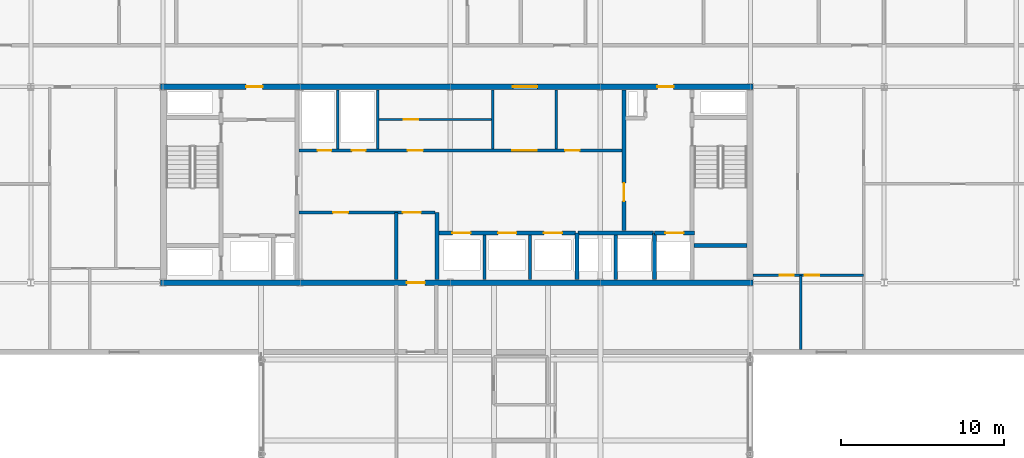
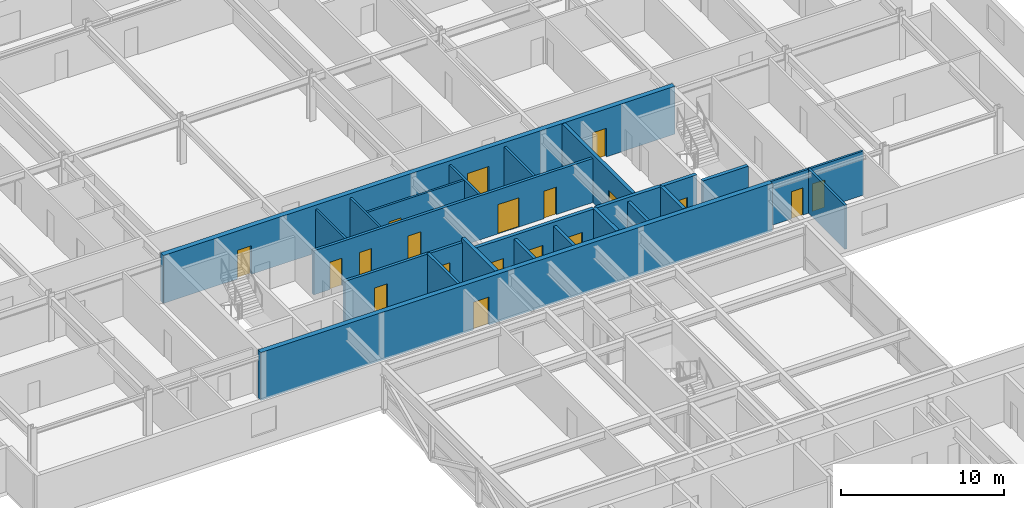
# One storey, part 25 of 36: 23 walls, 19 doors, 19 openings.
"""IFC4 building model written with IfcOpenShell, lengths in metres."""

from ifc_helpers import new_model, si_unit, direction, frame, frame_2d, origin, place, context, subcontext, project, spatial, rectangle, extrude, material, layer, layer_set, type_object, element, fill, save


model = new_model("IFC4")

# Units and contexts
model_context = context("Model", 3, precision=1e-05, world=origin(), true_north=direction((0.0, 1.0)))
body_context = subcontext(model_context, "Body", "Model", "MODEL_VIEW")
ifc_project = project(units=[si_unit("LENGTHUNIT", "METRE"), si_unit("AREAUNIT", "SQUARE_METRE"), si_unit("VOLUMEUNIT", "CUBIC_METRE"), si_unit("PLANEANGLEUNIT", "RADIAN"), si_unit("MASSUNIT", "GRAM", prefix="KILO")], contexts=[model_context])

# Site, building, storey
site_placement = place(None, origin())
site = spatial("IfcSite", under=ifc_project, at=site_placement, CompositionType="ELEMENT")
building_placement = place(site_placement, origin())
building = spatial("IfcBuilding", under=site, at=building_placement, Name="Korimba Cascade Residences", CompositionType="ELEMENT")
storey_placement = place(building_placement, frame((0.0, 0.0, 142.89990234375)))
storey = spatial("IfcBuildingStorey", under=building, at=storey_placement, Name="L41", CompositionType="ELEMENT", Elevation=142.89990234375)

# Wall, opening, door
ifc_material_1 = material(Name="Concrete C65/80", Category="concrete")
ifc_layer_1 = layer(ifc_material_1, 0.35009765625)
ifc_layer_set_1 = layer_set([ifc_layer_1], Name="Concrete C65/80")
wall_type_1 = type_object("IfcWallType", Name="WAL-CORE-350", PredefinedType="SHEAR", material=ifc_layer_set_1)
wall_1_placement = place(storey_placement, frame((75.949951171875, 55.199951171875, 0.0), z_axis=(0.0, 0.0, 1.0), x_axis=(1.0, 0.0, 0.0)))
wall_1 = element("IfcWall", 1, at=wall_1_placement, inside=storey, type_object=wall_type_1, Name="L41 Core Shear Wall CW-L41-T1-S", PredefinedType="SHEAR", context=body_context, shape_type="SweptSolid", body=[
    extrude(rectangle(XDim=36.300048828125, YDim=0.35009765625, at=frame_2d((18.14990234375, 0.0))), origin(), (0.0, 0.0, 1.0), 3.60009765625),
])
opening_1_placement = place(wall_1_placement, frame((15.10009765625, 0.0, 0.0)))
opening_1 = element("IfcOpeningElement", 2, at=opening_1_placement, cuts=wall_1, Name="Opening D-FD1", PredefinedType="OPENING", context=body_context, shape_type="SweptSolid", body=[
    extrude(rectangle(XDim=1.10009765625, YDim=2.10009765625, at=frame_2d((0.550048828125, 1.050048828125))), frame((0.0, 0.18505859375, 0.0), z_axis=(0.0, -1.0, 0.0), x_axis=(1.0, 0.0, 0.0)), (0.0, 0.0, 1.0), 0.3701171875),
])
ifc_material_2 = material(Name="Fire-Rated Steel Core Door", Category="steel")
door_type_1 = type_object("IfcDoorType", Name="DR-FD120-1100", OperationType="NOTDEFINED", PredefinedType="DOOR", material=ifc_material_2)
door_1_placement = place(opening_1_placement, origin())
door_1 = element("IfcDoor", 3, at=door_1_placement, inside=storey, type_object=door_type_1, Name="L41 Skybridge to T1 Core Fire Door", OperationType="SINGLE_SWING_LEFT", OverallHeight=2.10009765625, OverallWidth=1.10009765625, PredefinedType="DOOR", context=body_context, shape_type="SweptSolid", body=[
    extrude(rectangle(XDim=1.10009765625, YDim=2.10009765625, at=frame_2d((0.550048828125, 1.050048828125))), frame((0.0, 0.02490234375, 0.0), z_axis=(0.0, -1.0, 0.0), x_axis=(1.0, 0.0, 0.0)), (0.0, 0.0, 1.0), 0.050048828125),
])
fill(opening_1, door_1)

# Wall, openings, doors
wall_2_placement = place(storey_placement, frame((75.949951171875, 67.199951171875, 0.0), z_axis=(0.0, 0.0, 1.0), x_axis=(1.0, 0.0, 0.0)))
wall_2 = element("IfcWall", 4, at=wall_2_placement, inside=storey, type_object=wall_type_1, Name="L41 Core Shear Wall CW-L41-T1-N", PredefinedType="SHEAR", context=body_context, shape_type="SweptSolid", body=[
    extrude(rectangle(XDim=36.300048828125, YDim=0.35009765625, at=frame_2d((18.14990234375, 0.0))), origin(), (0.0, 0.0, 1.0), 3.60009765625),
])
opening_2_placement = place(wall_2_placement, frame((5.25, 0.0, 0.0)))
opening_2 = element("IfcOpeningElement", 5, at=opening_2_placement, cuts=wall_2, Name="Opening D-FD5", PredefinedType="OPENING", context=body_context, shape_type="SweptSolid", body=[
    extrude(rectangle(XDim=1.0, YDim=2.14990234375, at=frame_2d((0.5, 1.074951171875))), frame((0.0, 0.18505859375, 0.0), z_axis=(0.0, -1.0, 0.0), x_axis=(1.0, 0.0, 0.0)), (0.0, 0.0, 1.0), 0.3701171875),
])
opening_3_placement = place(wall_2_placement, frame((21.60009765625, 0.0, 0.0)))
opening_3 = element("IfcOpeningElement", 6, at=opening_3_placement, cuts=wall_2, Name="Opening D-FD8", PredefinedType="OPENING", context=body_context, shape_type="SweptSolid", body=[
    extrude(rectangle(XDim=1.5, YDim=2.199951171875, at=frame_2d((0.75, 1.10009765625))), frame((0.0, 0.18505859375, 0.0), z_axis=(0.0, -1.0, 0.0), x_axis=(1.0, 0.0, 0.0)), (0.0, 0.0, 1.0), 0.3701171875),
])
opening_4_placement = place(wall_2_placement, frame((30.449951171875, 0.0, 0.0)))
opening_4 = element("IfcOpeningElement", 7, at=opening_4_placement, cuts=wall_2, Name="Opening D-FD5", PredefinedType="OPENING", context=body_context, shape_type="SweptSolid", body=[
    extrude(rectangle(XDim=1.0, YDim=2.14990234375, at=frame_2d((0.5, 1.074951171875))), frame((0.0, 0.18505859375, 0.0), z_axis=(0.0, -1.0, 0.0), x_axis=(1.0, 0.0, 0.0)), (0.0, 0.0, 1.0), 0.3701171875),
])
ifc_material_3 = material(Name="Fire-Rated Acoustic Timber Vestibule Door", Category="wood")
door_type_2 = type_object("IfcDoorType", Name="DR-FD90-1000", OperationType="NOTDEFINED", PredefinedType="DOOR", material=ifc_material_3)
door_2_placement = place(opening_2_placement, origin())
door_2 = element("IfcDoor", 8, at=door_2_placement, inside=storey, type_object=door_type_2, Name="L41 T1 West Core Vestibule Fire Door", OperationType="SINGLE_SWING_RIGHT", OverallHeight=2.14990234375, OverallWidth=1.0, PredefinedType="DOOR", context=body_context, shape_type="SweptSolid", body=[
    extrude(rectangle(XDim=1.0, YDim=2.14990234375, at=frame_2d((0.5, 1.074951171875))), frame((0.0, 0.02490234375, 0.0), z_axis=(0.0, -1.0, 0.0), x_axis=(1.0, 0.0, 0.0)), (0.0, 0.0, 1.0), 0.050048828125),
])
fill(opening_2, door_2)
door_3_placement = place(opening_4_placement, origin())
door_3 = element("IfcDoor", 9, at=door_3_placement, inside=storey, type_object=door_type_2, Name="L41 T1 East Firefighting Vestibule Fire Door", OperationType="SINGLE_SWING_LEFT", OverallHeight=2.14990234375, OverallWidth=1.0, PredefinedType="DOOR", context=body_context, shape_type="SweptSolid", body=[
    extrude(rectangle(XDim=1.0, YDim=2.14990234375, at=frame_2d((0.5, 1.074951171875))), frame((0.0, 0.02490234375, 0.0), z_axis=(0.0, -1.0, 0.0), x_axis=(1.0, 0.0, 0.0)), (0.0, 0.0, 1.0), 0.050048828125),
])
fill(opening_4, door_3)
ifc_material_4 = material(Name="Fire-Rated Glazed Lift Lobby Double Door", Category="glass")
door_type_3 = type_object("IfcDoorType", Name="DR-FD90-1500", OperationType="NOTDEFINED", PredefinedType="DOOR", material=ifc_material_4)
door_4_placement = place(opening_3_placement, origin())
door_4 = element("IfcDoor", 10, at=door_4_placement, inside=storey, type_object=door_type_3, Name="L41 T1 Lift Lobby Fire Door", OperationType="DOUBLE_DOOR_SINGLE_SWING", OverallHeight=2.199951171875, OverallWidth=1.5, PredefinedType="DOOR", context=body_context, shape_type="SweptSolid", body=[
    extrude(rectangle(XDim=1.5, YDim=2.199951171875, at=frame_2d((0.75, 1.10009765625))), frame((0.0, 0.02490234375, 0.0), z_axis=(0.0, -1.0, 0.0), x_axis=(1.0, 0.0, 0.0)), (0.0, 0.0, 1.0), 0.050048828125),
])
fill(opening_3, door_4)

# Walls
ifc_material_5 = material(Name="Insulated Acoustic Stud Partition", Category="gypsum")
ifc_layer_2 = layer(ifc_material_5, 0.14990234375)
ifc_layer_set_2 = layer_set([ifc_layer_2], Name="Insulated Acoustic Stud Partition")
wall_type_2 = type_object("IfcWallType", Name="WAL-PART-150", PredefinedType="PARTITIONING", material=ifc_layer_set_2)
for number, where, z_axis, x_axis, name in (
    (11, (86.800048828125, 63.39990234375, 0.0), (0.0, 0.0, 1.0), (0.0, 1.0, 0.0), "L41 Partition Wall CW-L41-T1-ERDIV"),
    (12, (89.25, 63.39990234375, 0.0), (0.0, 0.0, 1.0), (0.0, 1.0, 0.0), "L41 Partition Wall CW-L41-T1-PRDIV"),
):
    element("IfcWall", number, at=place(storey_placement, frame(where, z_axis=z_axis, x_axis=x_axis)), inside=storey, type_object=wall_type_2, Name=name, PredefinedType="PARTITIONING", context=body_context, shape_type="SweptSolid", body=[
        extrude(rectangle(XDim=3.60009765625, YDim=0.14990234375, at=frame_2d((1.800048828125, 0.0))), origin(), (0.0, 0.0, 1.0), 3.31005859375),
    ])

# Wall, opening, door
wall_3_placement = place(storey_placement, frame((89.25, 65.199951171875, 0.0), z_axis=(0.0, 0.0, 1.0), x_axis=(1.0, 0.0, 0.0)))
wall_3 = element("IfcWall", 13, at=wall_3_placement, inside=storey, type_object=wall_type_2, Name="L41 Partition Wall CW-L41-T1-CA2HZ", PredefinedType="PARTITIONING", context=body_context, shape_type="SweptSolid", body=[
    extrude(rectangle(XDim=7.050048828125, YDim=0.14990234375, at=frame_2d((3.52490234375, 0.0))), origin(), (0.0, 0.0, 1.0), 3.31005859375),
])
opening_5_placement = place(wall_3_placement, frame((1.60009765625, 0.0, 0.0)))
opening_5 = element("IfcOpeningElement", 14, at=opening_5_placement, cuts=wall_3, Name="Opening D-IN2", PredefinedType="OPENING", context=body_context, shape_type="SweptSolid", body=[
    extrude(rectangle(XDim=0.8798828125, YDim=2.06005859375, at=frame_2d((0.43994140625, 1.030029296875))), frame((0.0, 0.0849609375, 0.0), z_axis=(0.0, -1.0, 0.0), x_axis=(1.0, 0.0, 0.0)), (0.0, 0.0, 1.0), 0.169921875),
])
ifc_material_6 = material(Name="Acoustic Timber Bedroom Door", Category="wood")
door_type_4 = type_object("IfcDoorType", Name="DR-INT-880", OperationType="NOTDEFINED", PredefinedType="DOOR", material=ifc_material_6)
door_5_placement = place(opening_5_placement, origin())
door_5 = element("IfcDoor", 15, at=door_5_placement, inside=storey, type_object=door_type_4, Name="L41 Pram Store Door", OperationType="SINGLE_SWING_RIGHT", OverallHeight=2.06005859375, OverallWidth=0.8798828125, PredefinedType="DOOR", context=body_context, shape_type="SweptSolid", body=[
    extrude(rectangle(XDim=0.8798828125, YDim=2.06005859375, at=frame_2d((0.43994140625, 1.030029296875))), frame((0.0, 0.02490234375, 0.0), z_axis=(0.0, -1.0, 0.0), x_axis=(1.0, 0.0, 0.0)), (0.0, 0.0, 1.0), 0.050048828125),
])
fill(opening_5, door_5)

# Walls
for number, where, z_axis, x_axis, name in (
    (16, (96.300048828125, 63.39990234375, 0.0), (0.0, 0.0, 1.0), (0.0, 1.0, 0.0), "L41 Partition Wall CW-L41-T1-THW"),
    (17, (100.199951171875, 63.39990234375, 0.0), (0.0, 0.0, 1.0), (0.0, 1.0, 0.0), "L41 Partition Wall CW-L41-T1-THE"),
):
    element("IfcWall", number, at=place(storey_placement, frame(where, z_axis=z_axis, x_axis=x_axis)), inside=storey, type_object=wall_type_2, Name=name, PredefinedType="PARTITIONING", context=body_context, shape_type="SweptSolid", body=[
        extrude(rectangle(XDim=3.60009765625, YDim=0.14990234375, at=frame_2d((1.800048828125, 0.0))), origin(), (0.0, 0.0, 1.0), 3.31005859375),
    ])
wall_4_placement = place(storey_placement, frame((115.199951171875, 51.10009765625, 0.0), z_axis=(0.0, 0.0, 1.0), x_axis=(0.0, 1.0, 0.0)))
element("IfcWall", 18, at=wall_4_placement, inside=storey, type_object=wall_type_2, Name="L41 Partition Wall WAL-L41-T1-FE-VS", PredefinedType="PARTITIONING", context=body_context, shape_type="SweptSolid", body=[
    extrude(rectangle(XDim=4.5498046875, YDim=0.14990234375, at=frame_2d((2.27490234375, 0.0))), origin(), (0.0, 0.0, 1.0), 3.31005859375),
])

# Wall, openings, doors
wall_5_placement = place(storey_placement, frame((112.27001953125, 55.64990234375, 0.0), z_axis=(0.0, 0.0, 1.0), x_axis=(1.0, 0.0, 0.0)))
wall_5 = element("IfcWall", 19, at=wall_5_placement, inside=storey, type_object=wall_type_2, Name="L41 Partition Wall WAL-L41-T1-FE-H", PredefinedType="PARTITIONING", context=body_context, shape_type="SweptSolid", body=[
    extrude(rectangle(XDim=6.760009765625, YDim=0.14990234375, at=frame_2d((3.3798828125, 0.0))), origin(), (0.0, 0.0, 1.0), 3.31005859375),
])
opening_6_placement = place(wall_5_placement, frame((1.6396484375, 0.0, 0.0)))
opening_6 = element("IfcOpeningElement", 20, at=opening_6_placement, cuts=wall_5, Name="Opening D-BT1", PredefinedType="OPENING", context=body_context, shape_type="SweptSolid", body=[
    extrude(rectangle(XDim=0.840087890625, YDim=2.0400390625, at=frame_2d((0.419921875, 1.02001953125))), frame((0.0, 0.0849609375, 0.0), z_axis=(0.0, -1.0, 0.0), x_axis=(1.0, 0.0, 0.0)), (0.0, 0.0, 1.0), 0.169921875),
])
opening_7_placement = place(wall_5_placement, frame((3.160400390625, 0.0, 0.0)))
opening_7 = element("IfcOpeningElement", 21, at=opening_7_placement, cuts=wall_5, Name="Opening D-IN2", PredefinedType="OPENING", context=body_context, shape_type="SweptSolid", body=[
    extrude(rectangle(XDim=0.8798828125, YDim=2.06005859375, at=frame_2d((0.43994140625, 1.030029296875))), frame((0.0, 0.0849609375, 0.0), z_axis=(0.0, -1.0, 0.0), x_axis=(1.0, 0.0, 0.0)), (0.0, 0.0, 1.0), 0.169921875),
])
ifc_material_7 = material(Name="Moisture-Resistant Bathroom Timber Door", Category="wood")
door_type_5 = type_object("IfcDoorType", Name="DR-INT-850", OperationType="NOTDEFINED", PredefinedType="DOOR", material=ifc_material_7)
door_6_placement = place(opening_6_placement, origin())
door_6 = element("IfcDoor", 22, at=door_6_placement, inside=storey, type_object=door_type_5, Name="L41-T1-FE Bathroom Door", OperationType="SINGLE_SWING_RIGHT", OverallHeight=2.0400390625, OverallWidth=0.840087890625, PredefinedType="DOOR", context=body_context, shape_type="SweptSolid", body=[
    extrude(rectangle(XDim=0.840087890625, YDim=2.0400390625, at=frame_2d((0.419921875, 1.02001953125))), frame((0.0, 0.02490234375, 0.0), z_axis=(0.0, -1.0, 0.0), x_axis=(1.0, 0.0, 0.0)), (0.0, 0.0, 1.0), 0.050048828125),
])
fill(opening_6, door_6)
door_7_placement = place(opening_7_placement, origin())
door_7 = element("IfcDoor", 23, at=door_7_placement, inside=storey, type_object=door_type_4, Name="L41-T1-FE Bedroom Door", OperationType="SINGLE_SWING_LEFT", OverallHeight=2.06005859375, OverallWidth=0.8798828125, PredefinedType="DOOR", context=body_context, shape_type="SweptSolid", body=[
    extrude(rectangle(XDim=0.8798828125, YDim=2.06005859375, at=frame_2d((0.43994140625, 1.030029296875))), frame((0.0, 0.02490234375, 0.0), z_axis=(0.0, -1.0, 0.0), x_axis=(1.0, 0.0, 0.0)), (0.0, 0.0, 1.0), 0.050048828125),
])
fill(opening_7, door_7)

# Wall
ifc_material_8 = material(Name="Concrete C40/50", Category="concrete")
ifc_layer_3 = layer(ifc_material_8, 0.199951171875)
ifc_layer_set_3 = layer_set([ifc_layer_3], Name="Concrete C40/50")
wall_type_3 = type_object("IfcWallType", Name="WAL-PART-200", PredefinedType="PARTITIONING", material=ifc_layer_set_3)
wall_6_placement = place(storey_placement, frame((90.39990234375, 55.39990234375, 0.0), z_axis=(0.0, 0.0, 1.0), x_axis=(0.0, 1.0, 0.0)))
element("IfcWall", 24, at=wall_6_placement, inside=storey, type_object=wall_type_3, Name="L41 Partition Wall CW-L41-T1-BRGPD", PredefinedType="PARTITIONING", context=body_context, shape_type="SweptSolid", body=[
    extrude(rectangle(XDim=4.10009765625, YDim=0.199951171875, at=frame_2d((2.050048828125, 0.0))), origin(), (0.0, 0.0, 1.0), 3.31005859375),
])

# Wall, openings, doors
wall_7_placement = place(storey_placement, frame((84.419921875, 59.5, 0.0), z_axis=(0.0, 0.0, 1.0), x_axis=(1.0, 0.0, 0.0)))
wall_7 = element("IfcWall", 25, at=wall_7_placement, inside=storey, type_object=wall_type_3, Name="L41 Partition Wall CW-L41-T1-B1RN", PredefinedType="PARTITIONING", context=body_context, shape_type="SweptSolid", body=[
    extrude(rectangle(XDim=8.360107421875, YDim=0.199951171875, at=frame_2d((4.18017578125, 0.0))), origin(), (0.0, 0.0, 1.0), 3.31005859375),
])
opening_8_placement = place(wall_7_placement, frame((2.10009765625, 0.0, 0.0)))
opening_8 = element("IfcOpeningElement", 26, at=opening_8_placement, cuts=wall_7, Name="Opening D-ST1", PredefinedType="OPENING", context=body_context, shape_type="SweptSolid", body=[
    extrude(rectangle(XDim=0.919921875, YDim=2.080078125, at=frame_2d((0.4599609375, 1.0400390625))), frame((0.0, 0.10986328125, 0.0), z_axis=(0.0, -1.0, 0.0), x_axis=(1.0, 0.0, 0.0)), (0.0, 0.0, 1.0), 0.219970703125),
])
opening_9_placement = place(wall_7_placement, frame((6.3798828125, 0.0, 0.0)))
opening_9 = element("IfcOpeningElement", 27, at=opening_9_placement, cuts=wall_7, Name="Opening D-FD1", PredefinedType="OPENING", context=body_context, shape_type="SweptSolid", body=[
    extrude(rectangle(XDim=1.10009765625, YDim=2.10009765625, at=frame_2d((0.550048828125, 1.050048828125))), frame((0.0, 0.10986328125, 0.0), z_axis=(0.0, -1.0, 0.0), x_axis=(1.0, 0.0, 0.0)), (0.0, 0.0, 1.0), 0.219970703125),
])
door_8_placement = place(opening_9_placement, origin())
door_8 = element("IfcDoor", 28, at=door_8_placement, inside=storey, type_object=door_type_1, Name="L41 Skybridge Vestibule to Lift Lobby Door", OperationType="SINGLE_SWING_LEFT", OverallHeight=2.10009765625, OverallWidth=1.10009765625, PredefinedType="DOOR", context=body_context, shape_type="SweptSolid", body=[
    extrude(rectangle(XDim=1.10009765625, YDim=2.10009765625, at=frame_2d((0.550048828125, 1.050048828125))), frame((0.0, 0.02490234375, 0.0), z_axis=(0.0, -1.0, 0.0), x_axis=(1.0, 0.0, 0.0)), (0.0, 0.0, 1.0), 0.050048828125),
])
fill(opening_9, door_8)
ifc_material_9 = material(Name="Fire-Rated Core Store Door", Category="wood")
door_type_6 = type_object("IfcDoorType", Name="DR-FD60-920", OperationType="NOTDEFINED", PredefinedType="DOOR", material=ifc_material_9)
door_9_placement = place(opening_8_placement, origin())
door_9 = element("IfcDoor", 29, at=door_9_placement, inside=storey, type_object=door_type_6, Name="L41 Resident Storage Door", OperationType="SINGLE_SWING_RIGHT", OverallHeight=2.080078125, OverallWidth=0.919921875, PredefinedType="DOOR", context=body_context, shape_type="SweptSolid", body=[
    extrude(rectangle(XDim=0.919921875, YDim=2.080078125, at=frame_2d((0.4599609375, 1.0400390625))), frame((0.0, 0.02490234375, 0.0), z_axis=(0.0, -1.0, 0.0), x_axis=(1.0, 0.0, 0.0)), (0.0, 0.0, 1.0), 0.050048828125),
])
fill(opening_8, door_9)

# Walls
for number, where, z_axis, x_axis, name in (
    (30, (95.800048828125, 55.39990234375, 0.0), (0.0, 0.0, 1.0), (0.0, 1.0, 0.0), "L41 Partition Wall CW-L41-T1-B2D1"),
    (31, (98.60009765625, 55.39990234375, 0.0), (0.0, 0.0, 1.0), (0.0, 1.0, 0.0), "L41 Partition Wall CW-L41-T1-B2D2"),
    (32, (103.85009765625, 55.39990234375, 0.0), (0.0, 0.0, 1.0), (0.0, 1.0, 0.0), "L41 Partition Wall CW-L41-T1-B3D1"),
):
    element("IfcWall", number, at=place(storey_placement, frame(where, z_axis=z_axis, x_axis=x_axis)), inside=storey, type_object=wall_type_3, Name=name, PredefinedType="PARTITIONING", context=body_context, shape_type="SweptSolid", body=[
        extrude(rectangle(XDim=2.72021484375, YDim=0.199951171875, at=frame_2d((1.360107421875, 0.0))), origin(), (0.0, 0.0, 1.0), 3.31005859375),
    ])

# Wall, openings, doors
wall_8_placement = place(storey_placement, frame((84.419921875, 63.300048828125, 0.0), z_axis=(0.0, 0.0, 1.0), x_axis=(1.0, 0.0, 0.0)))
wall_8 = element("IfcWall", 33, at=wall_8_placement, inside=storey, type_object=wall_type_3, Name="L41 Partition Wall CW-L41-T1-SRVROW", PredefinedType="PARTITIONING", context=body_context, shape_type="SweptSolid", body=[
    extrude(rectangle(XDim=19.830078125, YDim=0.199951171875, at=frame_2d((9.9150390625, 0.0))), origin(), (0.0, 0.0, 1.0), 3.31005859375),
])
opening_10_placement = place(wall_8_placement, frame((1.14990234375, 0.0, 0.0)))
opening_10 = element("IfcOpeningElement", 34, at=opening_10_placement, cuts=wall_8, Name="Opening D-RS1", PredefinedType="OPENING", context=body_context, shape_type="SweptSolid", body=[
    extrude(rectangle(XDim=0.85009765625, YDim=2.050048828125, at=frame_2d((0.425048828125, 1.02490234375))), frame((0.0, 0.10986328125, 0.0), z_axis=(0.0, -1.0, 0.0), x_axis=(1.0, 0.0, 0.0)), (0.0, 0.0, 1.0), 0.219970703125),
])
opening_11_placement = place(wall_8_placement, frame((3.25, 0.0, 0.0)))
opening_11 = element("IfcOpeningElement", 35, at=opening_11_placement, cuts=wall_8, Name="Opening D-RS1", PredefinedType="OPENING", context=body_context, shape_type="SweptSolid", body=[
    extrude(rectangle(XDim=0.85009765625, YDim=2.050048828125, at=frame_2d((0.425048828125, 1.02490234375))), frame((0.0, 0.10986328125, 0.0), z_axis=(0.0, -1.0, 0.0), x_axis=(1.0, 0.0, 0.0)), (0.0, 0.0, 1.0), 0.219970703125),
])
opening_12_placement = place(wall_8_placement, frame((13.080078125, 0.0, 0.0)))
opening_12 = element("IfcOpeningElement", 36, at=opening_12_placement, cuts=wall_8, Name="Opening D-FD8", PredefinedType="OPENING", context=body_context, shape_type="SweptSolid", body=[
    extrude(rectangle(XDim=1.5, YDim=2.199951171875, at=frame_2d((0.75, 1.10009765625))), frame((0.0, 0.10986328125, 0.0), z_axis=(0.0, -1.0, 0.0), x_axis=(1.0, 0.0, 0.0)), (0.0, 0.0, 1.0), 0.219970703125),
])
opening_13_placement = place(wall_8_placement, frame((6.679931640625, 0.0, 0.0)))
opening_13 = element("IfcOpeningElement", 37, at=opening_13_placement, cuts=wall_8, Name="Opening D-IN1", PredefinedType="OPENING", context=body_context, shape_type="SweptSolid", body=[
    extrude(rectangle(XDim=0.919921875, YDim=2.080078125, at=frame_2d((0.4599609375, 1.0400390625))), frame((0.0, 0.10986328125, 0.0), z_axis=(0.0, -1.0, 0.0), x_axis=(1.0, 0.0, 0.0)), (0.0, 0.0, 1.0), 0.219970703125),
])
opening_14_placement = place(wall_8_placement, frame((16.330078125, 0.0, 0.0)))
opening_14 = element("IfcOpeningElement", 38, at=opening_14_placement, cuts=wall_8, Name="Opening D-IN2", PredefinedType="OPENING", context=body_context, shape_type="SweptSolid", body=[
    extrude(rectangle(XDim=0.8798828125, YDim=2.06005859375, at=frame_2d((0.43994140625, 1.030029296875))), frame((0.0, 0.10986328125, 0.0), z_axis=(0.0, -1.0, 0.0), x_axis=(1.0, 0.0, 0.0)), (0.0, 0.0, 1.0), 0.219970703125),
])
ifc_material_10 = material(Name="Fire-Rated Steel Riser Access Door", Category="steel")
door_type_7 = type_object("IfcDoorType", Name="DR-FD60-850", OperationType="NOTDEFINED", PredefinedType="DOOR", material=ifc_material_10)
door_10_placement = place(opening_10_placement, origin())
door_10 = element("IfcDoor", 39, at=door_10_placement, inside=storey, type_object=door_type_7, Name="L41 Electrical Riser Door", OperationType="SINGLE_SWING_LEFT", OverallHeight=2.050048828125, OverallWidth=0.85009765625, PredefinedType="DOOR", context=body_context, shape_type="SweptSolid", body=[
    extrude(rectangle(XDim=0.85009765625, YDim=2.050048828125, at=frame_2d((0.425048828125, 1.02490234375))), frame((0.0, 0.02490234375, 0.0), z_axis=(0.0, -1.0, 0.0), x_axis=(1.0, 0.0, 0.0)), (0.0, 0.0, 1.0), 0.050048828125),
])
fill(opening_10, door_10)
door_11_placement = place(opening_11_placement, origin())
door_11 = element("IfcDoor", 40, at=door_11_placement, inside=storey, type_object=door_type_7, Name="L41 Plumbing Riser Door", OperationType="SINGLE_SWING_RIGHT", OverallHeight=2.050048828125, OverallWidth=0.85009765625, PredefinedType="DOOR", context=body_context, shape_type="SweptSolid", body=[
    extrude(rectangle(XDim=0.85009765625, YDim=2.050048828125, at=frame_2d((0.425048828125, 1.02490234375))), frame((0.0, 0.02490234375, 0.0), z_axis=(0.0, -1.0, 0.0), x_axis=(1.0, 0.0, 0.0)), (0.0, 0.0, 1.0), 0.050048828125),
])
fill(opening_11, door_11)
door_12_placement = place(opening_12_placement, origin())
door_12 = element("IfcDoor", 41, at=door_12_placement, inside=storey, type_object=door_type_3, Name="L41 Lift Lobby Foyer Archway Door", OperationType="DOUBLE_DOOR_SINGLE_SWING", OverallHeight=2.199951171875, OverallWidth=1.5, PredefinedType="DOOR", context=body_context, shape_type="SweptSolid", body=[
    extrude(rectangle(XDim=1.5, YDim=2.199951171875, at=frame_2d((0.75, 1.10009765625))), frame((0.0, 0.02490234375, 0.0), z_axis=(0.0, -1.0, 0.0), x_axis=(1.0, 0.0, 0.0)), (0.0, 0.0, 1.0), 0.050048828125),
])
fill(opening_12, door_12)
door_13_placement = place(opening_14_placement, origin())
door_13 = element("IfcDoor", 42, at=door_13_placement, inside=storey, type_object=door_type_4, Name="L41 Staff WC Door", OperationType="SINGLE_SWING_RIGHT", OverallHeight=2.06005859375, OverallWidth=0.8798828125, PredefinedType="DOOR", context=body_context, shape_type="SweptSolid", body=[
    extrude(rectangle(XDim=0.8798828125, YDim=2.06005859375, at=frame_2d((0.43994140625, 1.030029296875))), frame((0.0, 0.02490234375, 0.0), z_axis=(0.0, -1.0, 0.0), x_axis=(1.0, 0.0, 0.0)), (0.0, 0.0, 1.0), 0.050048828125),
])
fill(opening_14, door_13)
ifc_material_11 = material(Name="Acoustic Timber Living Door", Category="wood")
door_type_8 = type_object("IfcDoorType", Name="DR-INT-920", OperationType="NOTDEFINED", PredefinedType="DOOR", material=ifc_material_11)
door_14_placement = place(opening_13_placement, origin())
door_14 = element("IfcDoor", 43, at=door_14_placement, inside=storey, type_object=door_type_8, Name="L41 Locker Room Door", OperationType="SINGLE_SWING_LEFT", OverallHeight=2.080078125, OverallWidth=0.919921875, PredefinedType="DOOR", context=body_context, shape_type="SweptSolid", body=[
    extrude(rectangle(XDim=0.919921875, YDim=2.080078125, at=frame_2d((0.4599609375, 1.0400390625))), frame((0.0, 0.02490234375, 0.0), z_axis=(0.0, -1.0, 0.0), x_axis=(1.0, 0.0, 0.0)), (0.0, 0.0, 1.0), 0.050048828125),
])
fill(opening_13, door_14)

# Wall
ifc_material_12 = material(Name="Concrete C50/60", Category="concrete")
ifc_layer_4 = layer(ifc_material_12, 0.25)
ifc_layer_set_4 = layer_set([ifc_layer_4], Name="Concrete C50/60")
wall_type_4 = type_object("IfcWallType", Name="WAL-SHAFT-250", PredefinedType="SHEAR", material=ifc_layer_set_4)
wall_9_placement = place(storey_placement, frame((92.89990234375, 55.39990234375, 0.0), z_axis=(0.0, 0.0, 1.0), x_axis=(0.0, 1.0, 0.0)))
element("IfcWall", 44, at=wall_9_placement, inside=storey, type_object=wall_type_4, Name="L41 Core Shear Wall CW-L41-T1-B12DIV", PredefinedType="SHEAR", context=body_context, shape_type="SweptSolid", body=[
    extrude(rectangle(XDim=4.10009765625, YDim=0.25, at=frame_2d((2.050048828125, 0.0))), origin(), (0.0, 0.0, 1.0), 3.60009765625),
])

# Wall, openings, doors
wall_10_placement = place(storey_placement, frame((93.02001953125, 58.25, 0.0), z_axis=(0.0, 0.0, 1.0), x_axis=(1.0, 0.0, 0.0)))
wall_10 = element("IfcWall", 45, at=wall_10_placement, inside=storey, type_object=wall_type_4, Name="L41 Core Shear Wall CW-L41-T1-B2N", PredefinedType="SHEAR", context=body_context, shape_type="SweptSolid", body=[
    extrude(rectangle(XDim=8.35986328125, YDim=0.25, at=frame_2d((4.179931640625, 0.0))), origin(), (0.0, 0.0, 1.0), 3.60009765625),
])
opening_15_placement = place(wall_10_placement, frame((0.820068359375, 0.0, 0.0)))
opening_15 = element("IfcOpeningElement", 46, at=opening_15_placement, cuts=wall_10, Name="Opening LD-01", PredefinedType="OPENING", context=body_context, shape_type="SweptSolid", body=[
    extrude(rectangle(XDim=1.1201171875, YDim=2.1201171875, at=frame_2d((0.56005859375, 1.06005859375))), frame((0.0, 0.135009765625, 0.0), z_axis=(0.0, -1.0, 0.0), x_axis=(1.0, 0.0, 0.0)), (0.0, 0.0, 1.0), 0.27001953125),
])
opening_16_placement = place(wall_10_placement, frame((3.6201171875, 0.0, 0.0)))
opening_16 = element("IfcOpeningElement", 47, at=opening_16_placement, cuts=wall_10, Name="Opening LD-01", PredefinedType="OPENING", context=body_context, shape_type="SweptSolid", body=[
    extrude(rectangle(XDim=1.1201171875, YDim=2.1201171875, at=frame_2d((0.56005859375, 1.06005859375))), frame((0.0, 0.135009765625, 0.0), z_axis=(0.0, -1.0, 0.0), x_axis=(1.0, 0.0, 0.0)), (0.0, 0.0, 1.0), 0.27001953125),
])
opening_17_placement = place(wall_10_placement, frame((6.419921875, 0.0, 0.0)))
opening_17 = element("IfcOpeningElement", 48, at=opening_17_placement, cuts=wall_10, Name="Opening LD-01", PredefinedType="OPENING", context=body_context, shape_type="SweptSolid", body=[
    extrude(rectangle(XDim=1.1201171875, YDim=2.1201171875, at=frame_2d((0.56005859375, 1.06005859375))), frame((0.0, 0.135009765625, 0.0), z_axis=(0.0, -1.0, 0.0), x_axis=(1.0, 0.0, 0.0)), (0.0, 0.0, 1.0), 0.27001953125),
])
ifc_material_13 = material(Name="Stainless Steel Lift Landing Sliding Door", Category="steel")
door_type_9 = type_object("IfcDoorType", Name="DR-LIFT-1100", OperationType="NOTDEFINED", PredefinedType="DOOR", material=ifc_material_13)
door_15_placement = place(opening_15_placement, origin())
door_15 = element("IfcDoor", 49, at=door_15_placement, inside=storey, type_object=door_type_9, Name="L41 Lift Landing Door PL-W4", OperationType="SLIDING_TO_RIGHT", OverallHeight=2.1201171875, OverallWidth=1.1201171875, PredefinedType="DOOR", context=body_context, shape_type="SweptSolid", body=[
    extrude(rectangle(XDim=1.1201171875, YDim=2.1201171875, at=frame_2d((0.56005859375, 1.06005859375))), frame((0.0, 0.02490234375, 0.0), z_axis=(0.0, -1.0, 0.0), x_axis=(1.0, 0.0, 0.0)), (0.0, 0.0, 1.0), 0.050048828125),
])
fill(opening_15, door_15)
door_16_placement = place(opening_16_placement, origin())
door_16 = element("IfcDoor", 50, at=door_16_placement, inside=storey, type_object=door_type_9, Name="L41 Lift Landing Door PL-W5", OperationType="SLIDING_TO_RIGHT", OverallHeight=2.1201171875, OverallWidth=1.1201171875, PredefinedType="DOOR", context=body_context, shape_type="SweptSolid", body=[
    extrude(rectangle(XDim=1.1201171875, YDim=2.1201171875, at=frame_2d((0.56005859375, 1.06005859375))), frame((0.0, 0.02490234375, 0.0), z_axis=(0.0, -1.0, 0.0), x_axis=(1.0, 0.0, 0.0)), (0.0, 0.0, 1.0), 0.050048828125),
])
fill(opening_16, door_16)
door_17_placement = place(opening_17_placement, origin())
door_17 = element("IfcDoor", 51, at=door_17_placement, inside=storey, type_object=door_type_9, Name="L41 Lift Landing Door PL-W6", OperationType="SLIDING_TO_RIGHT", OverallHeight=2.1201171875, OverallWidth=1.1201171875, PredefinedType="DOOR", context=body_context, shape_type="SweptSolid", body=[
    extrude(rectangle(XDim=1.1201171875, YDim=2.1201171875, at=frame_2d((0.56005859375, 1.06005859375))), frame((0.0, 0.02490234375, 0.0), z_axis=(0.0, -1.0, 0.0), x_axis=(1.0, 0.0, 0.0)), (0.0, 0.0, 1.0), 0.050048828125),
])
fill(opening_17, door_17)

# Walls
wall_11_placement = place(storey_placement, frame((101.47998046875, 55.39990234375, 0.0), z_axis=(0.0, 0.0, 1.0), x_axis=(0.0, 1.0, 0.0)))
element("IfcWall", 52, at=wall_11_placement, inside=storey, type_object=wall_type_4, Name="L41 Core Shear Wall CW-L41-T1-B23DIV", PredefinedType="SHEAR", context=body_context, shape_type="SweptSolid", body=[
    extrude(rectangle(XDim=2.85009765625, YDim=0.25, at=frame_2d((1.425048828125, 0.0))), origin(), (0.0, 0.0, 1.0), 3.60009765625),
])
wall_12_placement = place(storey_placement, frame((101.550048828125, 58.25, 0.0), z_axis=(0.0, 0.0, 1.0), x_axis=(1.0, 0.0, 0.0)))
element("IfcWall", 53, at=wall_12_placement, inside=storey, type_object=wall_type_4, Name="L41 Core Shear Wall CW-L41-T1-B3N", PredefinedType="SHEAR", context=body_context, shape_type="SweptSolid", body=[
    extrude(rectangle(XDim=4.599853515625, YDim=0.25, at=frame_2d((2.2998046875, 0.0))), origin(), (0.0, 0.0, 1.0), 3.60009765625),
])
wall_13_placement = place(storey_placement, frame((106.219970703125, 55.39990234375, 0.0), z_axis=(0.0, 0.0, 1.0), x_axis=(0.0, 1.0, 0.0)))
element("IfcWall", 54, at=wall_13_placement, inside=storey, type_object=wall_type_4, Name="L41 Core Shear Wall CW-L41-T1-FF2W", PredefinedType="SHEAR", context=body_context, shape_type="SweptSolid", body=[
    extrude(rectangle(XDim=2.85009765625, YDim=0.25, at=frame_2d((1.425048828125, 0.0))), origin(), (0.0, 0.0, 1.0), 3.60009765625),
])

# Wall, opening, door
wall_14_placement = place(storey_placement, frame((106.219970703125, 58.25, 0.0), z_axis=(0.0, 0.0, 1.0), x_axis=(1.0, 0.0, 0.0)))
wall_14 = element("IfcWall", 55, at=wall_14_placement, inside=storey, type_object=wall_type_4, Name="L41 Core Shear Wall CW-L41-T1-FF2N", PredefinedType="SHEAR", context=body_context, shape_type="SweptSolid", body=[
    extrude(rectangle(XDim=2.4599609375, YDim=0.25, at=frame_2d((1.22998046875, 0.0))), origin(), (0.0, 0.0, 1.0), 3.60009765625),
])
opening_18_placement = place(wall_14_placement, frame((0.669921875, 0.0, 0.0)))
opening_18 = element("IfcOpeningElement", 56, at=opening_18_placement, cuts=wall_14, Name="Opening LD-01", PredefinedType="OPENING", context=body_context, shape_type="SweptSolid", body=[
    extrude(rectangle(XDim=1.1201171875, YDim=2.1201171875, at=frame_2d((0.56005859375, 1.06005859375))), frame((0.0, 0.135009765625, 0.0), z_axis=(0.0, -1.0, 0.0), x_axis=(1.0, 0.0, 0.0)), (0.0, 0.0, 1.0), 0.27001953125),
])
door_18_placement = place(opening_18_placement, origin())
door_18 = element("IfcDoor", 57, at=door_18_placement, inside=storey, type_object=door_type_9, Name="L41 Firefighting Lift Landing Door FFL-W2", OperationType="SLIDING_TO_RIGHT", OverallHeight=2.1201171875, OverallWidth=1.1201171875, PredefinedType="DOOR", context=body_context, shape_type="SweptSolid", body=[
    extrude(rectangle(XDim=1.1201171875, YDim=2.1201171875, at=frame_2d((0.56005859375, 1.06005859375))), frame((0.0, 0.02490234375, 0.0), z_axis=(0.0, -1.0, 0.0), x_axis=(1.0, 0.0, 0.0)), (0.0, 0.0, 1.0), 0.050048828125),
])
fill(opening_18, door_18)

wall_15_placement = place(storey_placement, frame((104.35009765625, 58.39990234375, 0.0), z_axis=(0.0, 0.0, 1.0), x_axis=(0.0, 1.0, 0.0)))
wall_15 = element("IfcWall", 58, at=wall_15_placement, inside=storey, type_object=wall_type_4, Name="L41 Core Shear Wall CW-L41-T1-LLEV", PredefinedType="SHEAR", context=body_context, shape_type="SweptSolid", body=[
    extrude(rectangle(XDim=8.60009765625, YDim=0.25, at=frame_2d((4.300048828125, 0.0))), origin(), (0.0, 0.0, 1.0), 3.60009765625),
])
opening_19_placement = place(wall_15_placement, frame((1.800048828125, 0.0, 0.0)))
opening_19 = element("IfcOpeningElement", 59, at=opening_19_placement, cuts=wall_15, Name="Opening D-FD1", PredefinedType="OPENING", context=body_context, shape_type="SweptSolid", body=[
    extrude(rectangle(XDim=1.10009765625, YDim=2.10009765625, at=frame_2d((0.550048828125, 1.050048828125))), frame((0.0, 0.135009765625, 0.0), z_axis=(0.0, -1.0, 0.0), x_axis=(1.0, 0.0, 0.0)), (0.0, 0.0, 1.0), 0.27001953125),
])
door_19_placement = place(opening_19_placement, origin())
door_19 = element("IfcDoor", 60, at=door_19_placement, inside=storey, type_object=door_type_1, Name="L41 Lift Lobby to East Firefighting Lobby Door", OperationType="SINGLE_SWING_RIGHT", OverallHeight=2.10009765625, OverallWidth=1.10009765625, PredefinedType="DOOR", context=body_context, shape_type="SweptSolid", body=[
    extrude(rectangle(XDim=1.10009765625, YDim=2.10009765625, at=frame_2d((0.550048828125, 1.050048828125))), frame((0.0, 0.02490234375, 0.0), z_axis=(0.0, -1.0, 0.0), x_axis=(1.0, 0.0, 0.0)), (0.0, 0.0, 1.0), 0.050048828125),
])
fill(opening_19, door_19)

# Wall
wall_16_placement = place(storey_placement, frame((108.659912109375, 57.47509765625, 0.0), z_axis=(0.0, 0.0, 1.0), x_axis=(1.0, 0.0, 0.0)))
element("IfcWall", 61, at=wall_16_placement, inside=storey, type_object=wall_type_4, Name="L41 Core Shear Wall CW-L41-T1-STW2S", PredefinedType="SHEAR", context=body_context, shape_type="SweptSolid", body=[
    extrude(rectangle(XDim=3.239990234375, YDim=0.25, at=frame_2d((1.6201171875, 0.0))), origin(), (0.0, 0.0, 1.0), 3.60009765625),
])

save(model, "model.ifc")
